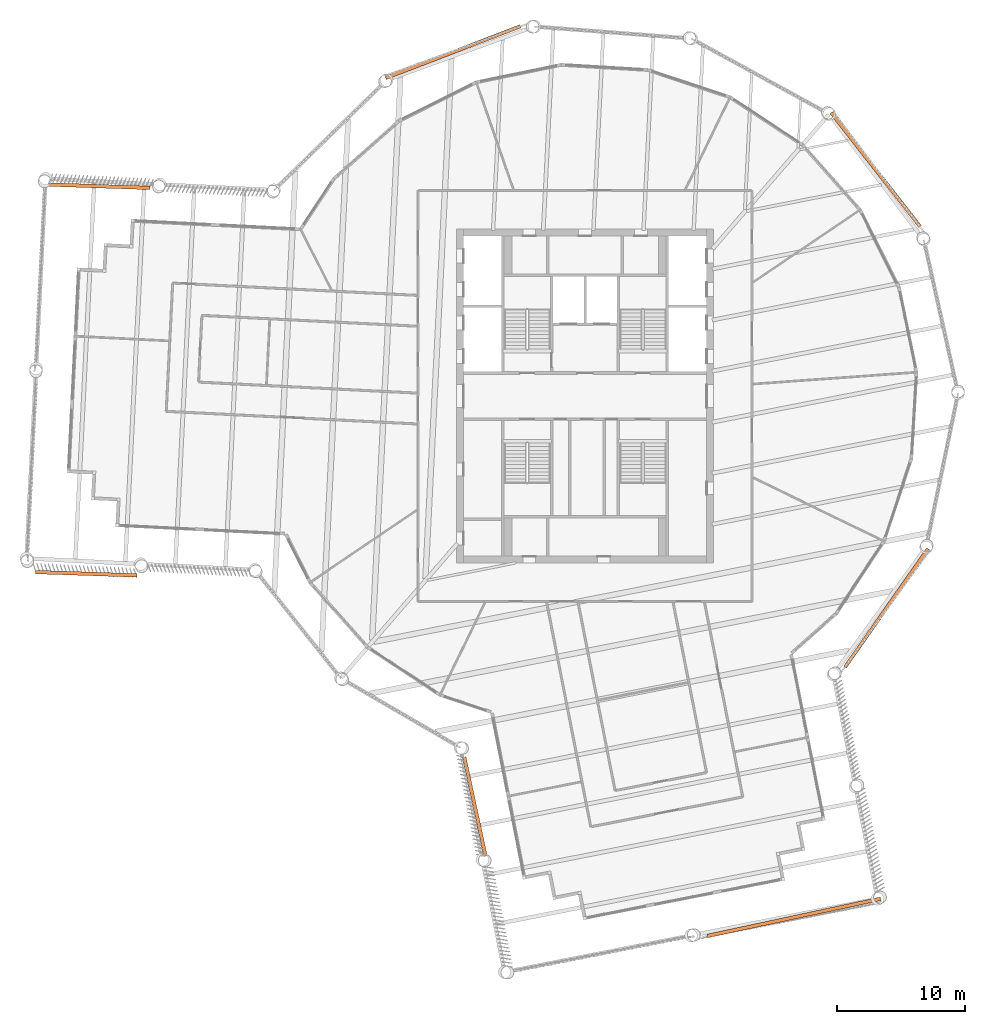
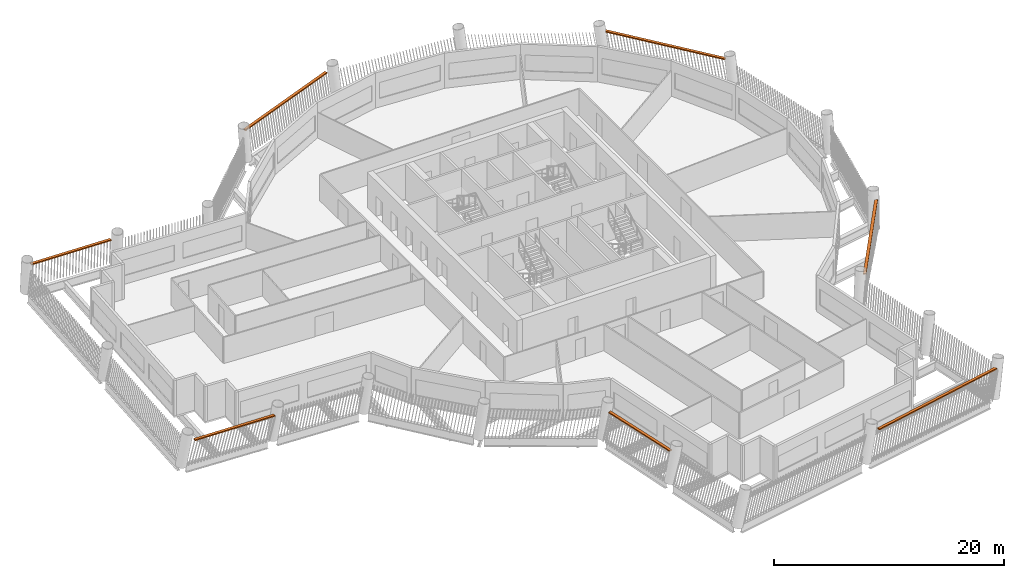
# One storey, part 14 of 14: 7 proxies.
"""IFC4 building model written with IfcOpenShell, lengths in metres."""

from ifc_helpers import new_model, si_unit, direction, frame, origin, origin_2d, place, context, subcontext, project, spatial, rectangle, extrude, material, type_object, element, save


model = new_model("IFC4")

# Units and contexts
model_context = context("Model", 3, precision=1e-05, world=origin(), true_north=direction((0.0, 1.0)))
body_context = subcontext(model_context, "Body", "Model", "MODEL_VIEW")
ifc_project = project(units=[si_unit("LENGTHUNIT", "METRE"), si_unit("AREAUNIT", "SQUARE_METRE"), si_unit("VOLUMEUNIT", "CUBIC_METRE"), si_unit("PLANEANGLEUNIT", "RADIAN"), si_unit("MASSUNIT", "GRAM", prefix="KILO")], contexts=[model_context])

# Site, building, storey
site_placement = place(None, origin())
site = spatial("IfcSite", under=ifc_project, at=site_placement, CompositionType="ELEMENT")
building_placement = place(site_placement, origin())
building = spatial("IfcBuilding", under=site, at=building_placement, Name="Tarsis Ring Headquarters", CompositionType="ELEMENT")
storey_placement = place(building_placement, frame((0.0, 0.0, 274.699951171875)))
storey = spatial("IfcBuildingStorey", under=building, at=storey_placement, Name="L64", CompositionType="ELEMENT", Elevation=274.699951171875)

# Proxies
ifc_material = material(Name="Structural steel S355", Category="steel")
building_element_proxy_type = type_object("IfcBuildingElementProxyType", Name="Screen bracket plate", PredefinedType="USERDEFINED", material=ifc_material)
proxy_1_placement = place(storey_placement, frame((-8.575927734375, -31.959716796875, 2.9677734375), z_axis=(0.0, 0.0, 1.0), x_axis=(0.209959877928, -0.977710002844, 0.0)))
element("IfcBuildingElementProxy", 1, at=proxy_1_placement, inside=storey, type_object=building_element_proxy_type, Name="Screen bracket L64-01", ObjectType="Bracket", PredefinedType="USERDEFINED", context=body_context, shape_type="SweptSolid", body=[
    extrude(rectangle(XDim=7.90234375, YDim=0.280029296875, at=origin_2d()), origin(), (0.0, 0.0, 1.0), 0.1201171875),
])
proxy_2_placement = place(storey_placement, frame((16.283203125, -40.58056640625, 2.9677734375), z_axis=(0.0, 0.0, 1.0), x_axis=(0.977710006508, 0.209959860863, 0.0)))
element("IfcBuildingElementProxy", 2, at=proxy_2_placement, inside=storey, type_object=building_element_proxy_type, Name="Screen bracket L64-04", ObjectType="Bracket", PredefinedType="USERDEFINED", context=body_context, shape_type="SweptSolid", body=[
    extrude(rectangle(XDim=13.800048828125, YDim=0.280029296875, at=origin_2d()), origin(), (0.0, 0.0, 1.0), 0.1201171875),
])
for number, where, z_axis, x_axis, name in (
    (3, (23.479248046875, -16.488525390625, 2.9677734375), (0.0, 0.0, 1.0), (0.574701360908, 0.818363211399, 0.0), "Screen bracket L64-07"),
    (4, (22.624267578125, 17.643310546875, 2.9677734375), (0.0, 0.0, 1.0), (-0.614956395814, 0.788561114466, 0.0), "Screen bracket L64-10"),
    (5, (-10.270751953125, 26.7890625, 2.9677734375), (0.0, 0.0, 1.0), (-0.933729039131, -0.357980560204, 0.0), "Screen bracket L64-13"),
):
    element("IfcBuildingElementProxy", number, at=place(storey_placement, frame(where, z_axis=z_axis, x_axis=x_axis)), inside=storey, type_object=building_element_proxy_type, Name=name, ObjectType="Bracket", PredefinedType="USERDEFINED", context=body_context, shape_type="SweptSolid", body=[
        extrude(rectangle(XDim=11.248779296875, YDim=0.280029296875, at=origin_2d()), origin(), (0.0, 0.0, 1.0), 0.1201171875),
    ])
for number, where, z_axis, x_axis, name in (
    (6, (-37.8330078125, 16.344970703125, 2.9677734375), (0.0, 0.0, 1.0), (-0.999461726674, 0.032806354768, 0.0), "Screen bracket L64-16"),
    (7, (-38.823486328125, -13.828857421875, 2.9677734375), (0.0, 0.0, 1.0), (0.99946173011, -0.032806250104, 0.0), "Screen bracket L64-19"),
):
    element("IfcBuildingElementProxy", number, at=place(storey_placement, frame(where, z_axis=z_axis, x_axis=x_axis)), inside=storey, type_object=building_element_proxy_type, Name=name, ObjectType="Bracket", PredefinedType="USERDEFINED", context=body_context, shape_type="SweptSolid", body=[
        extrude(rectangle(XDim=7.90234375, YDim=0.280029296875, at=origin_2d()), origin(), (0.0, 0.0, 1.0), 0.1201171875),
    ])

save(model, "model.ifc")
